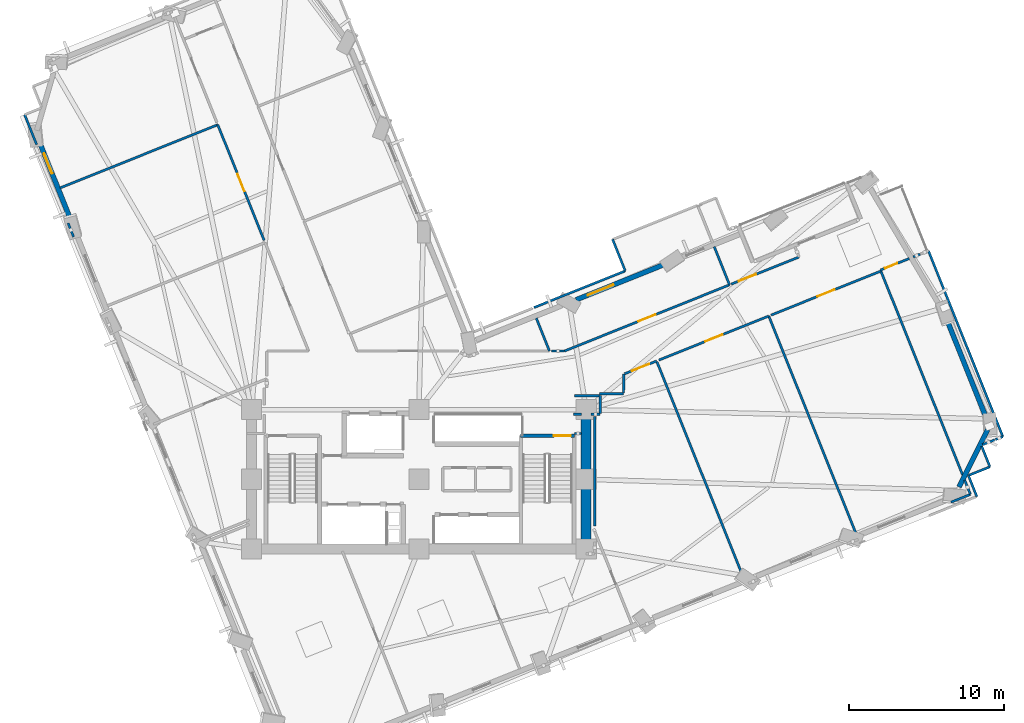
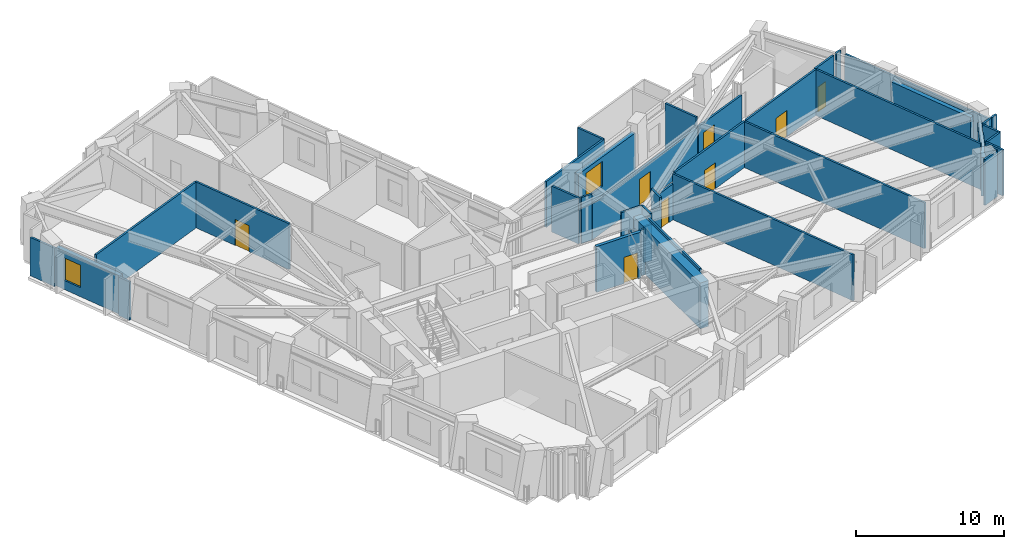
# One storey, part 10 of 16: 41 walls, 8 doors, 2 windows, 10 openings.
"""IFC4 building model written with IfcOpenShell, lengths in metres."""

from ifc_helpers import new_model, si_unit, direction, frame, frame_2d, origin, place, context, subcontext, project, spatial, rectangle, extrude, material, layer, layer_set, type_object, element, fill, save


model = new_model("IFC4")

# Units and contexts
model_context = context("Model", 3, precision=1e-05, world=origin(), true_north=direction((0.0, 1.0)))
body_context = subcontext(model_context, "Body", "Model", "MODEL_VIEW")
ifc_project = project(units=[si_unit("LENGTHUNIT", "METRE"), si_unit("AREAUNIT", "SQUARE_METRE"), si_unit("VOLUMEUNIT", "CUBIC_METRE"), si_unit("PLANEANGLEUNIT", "RADIAN"), si_unit("MASSUNIT", "GRAM", prefix="KILO")], contexts=[model_context])

# Site, building, storey
site_placement = place(None, origin())
site = spatial("IfcSite", under=ifc_project, at=site_placement, CompositionType="ELEMENT")
building_placement = place(site_placement, origin())
building = spatial("IfcBuilding", under=site, at=building_placement, Name="Gaonmaruhae Medical Tower", CompositionType="ELEMENT")
storey_placement = place(building_placement, frame((0.0, 0.0, 116.39990234375)))
storey = spatial("IfcBuildingStorey", under=building, at=storey_placement, Name="L27", CompositionType="ELEMENT", Elevation=116.39990234375)

# Walls
ifc_material_1 = material(Name="Concrete C60/75", Category="concrete")
ifc_layer_1 = layer(ifc_material_1, 0.64990234375)
ifc_layer_set_1 = layer_set([ifc_layer_1], Name="Concrete C60/75")
wall_type_1 = type_object("IfcWallType", Name="CW-650 Zone 2 Core Shear Wall", PredefinedType="SHEAR", material=ifc_layer_set_1)
wall_1_placement = place(storey_placement, frame((35.60009765625, 7.800048828125, 0.0), z_axis=(0.0, 0.0, 1.0), x_axis=(0.0, 1.0, 0.0)))
element("IfcWall", 1, at=wall_1_placement, inside=storey, type_object=wall_type_1, Name="L27 Core Shear Wall CSW-E1", PredefinedType="SHEAR", context=body_context, shape_type="SweptSolid", body=[
    extrude(rectangle(XDim=9.0, YDim=0.64990234375, at=frame_2d((4.5, 0.0))), origin(), (0.0, 0.0, 1.0), 3.780029296875),
])
ifc_material_2 = material(Name="Precast concrete C45/55", Category="concrete")
ifc_layer_2 = layer(ifc_material_2, 0.320068359375)
ifc_layer_set_2 = layer_set([ifc_layer_2], Name="Precast concrete C45/55")
wall_type_2 = type_object("IfcWallType", Name="EW-320 Lower Precast Masonry-Frame Facade Wall", PredefinedType="SOLIDWALL", material=ifc_layer_set_2)
wall_2_placement = place(storey_placement, frame((61.5244140625, 15.507568359375, 0.0), z_axis=(0.0, 0.0, 1.0), x_axis=(-0.449332666057, -0.89336451419, 0.0)))
element("IfcWall", 2, at=wall_2_placement, inside=storey, type_object=wall_type_2, Name="L27 Precast Masonry-Frame Wall S07-E01", PredefinedType="SOLIDWALL", context=body_context, shape_type="SweptSolid", body=[
    extrude(rectangle(XDim=4.145263671875, YDim=0.320068359375, at=frame_2d((2.07275390625, 0.0))), origin(), (0.0, 0.0, 1.0), 3.1650390625),
])
wall_3_placement = place(storey_placement, frame((58.846923828125, 22.69580078125, 0.0), z_axis=(0.0, 0.0, 1.0), x_axis=(0.372172100897, -0.928163739495, 0.0)))
element("IfcWall", 3, at=wall_3_placement, inside=storey, type_object=wall_type_2, Name="L27 Precast Masonry-Frame Wall E01-E02", PredefinedType="SOLIDWALL", context=body_context, shape_type="SweptSolid", body=[
    extrude(rectangle(XDim=6.840087890625, YDim=0.320068359375, at=frame_2d((3.419921875, 0.0))), origin(), (0.0, 0.0, 1.0), 3.1650390625),
])

# Wall, opening, window
wall_4_placement = place(storey_placement, frame((34.944580078125, 23.884765625, 0.0), z_axis=(0.0, 0.0, 1.0), x_axis=(0.928167331389, 0.372163142912, 0.0)))
wall_4 = element("IfcWall", 4, at=wall_4_placement, inside=storey, type_object=wall_type_2, Name="L27 Precast Masonry-Frame Wall EN02-EN03", PredefinedType="SOLIDWALL", context=body_context, shape_type="SweptSolid", body=[
    extrude(rectangle(XDim=6.2109375, YDim=0.320068359375, at=frame_2d((3.10546875, 0.0))), origin(), (0.0, 0.0, 1.0), 3.1650390625),
])
opening_1_placement = place(wall_4_placement, frame((0.81640625, 0.0, 0.75)))
opening_1 = element("IfcOpeningElement", 5, at=opening_1_placement, cuts=wall_4, Name="Opening WN-04", PredefinedType="OPENING", context=body_context, shape_type="SweptSolid", body=[
    extrude(rectangle(XDim=1.800048828125, YDim=2.050048828125, at=frame_2d((0.89990234375, 1.02490234375))), frame((0.0, 0.169921875, 0.0), z_axis=(0.0, -1.0, 0.0), x_axis=(1.0, 0.0, 0.0)), (0.0, 0.0, 1.0), 0.340087890625),
])
ifc_material_3 = material(Name="Anodised aluminium and Low-E double glazing", Category="aluminium")
window_type_1 = type_object("IfcWindowType", Name="WN-04 Clinic & Consult Punched Window 1800x2050", PartitioningType="SINGLE_PANEL", PredefinedType="WINDOW", material=ifc_material_3)
window_1_placement = place(opening_1_placement, origin())
window_1 = element("IfcWindow", 6, at=window_1_placement, inside=storey, type_object=window_type_1, Name="L27 Modular Facade Window EN02", OverallHeight=2.050048828125, OverallWidth=1.800048828125, PartitioningType="SINGLE_PANEL", PredefinedType="WINDOW", context=body_context, shape_type="SweptSolid", body=[
    extrude(rectangle(XDim=1.800048828125, YDim=2.050048828125, at=frame_2d((0.89990234375, 1.02490234375))), frame((0.0, 0.030029296875, 0.0), z_axis=(0.0, -1.0, 0.0), x_axis=(1.0, 0.0, 0.0)), (0.0, 0.0, 1.0), 0.06005859375),
])
fill(opening_1, window_1)

wall_5_placement = place(storey_placement, frame((2.37109375, 28.925537109375, 0.0), z_axis=(0.0, 0.0, 1.0), x_axis=(-0.37214668544, 0.928173930099, 0.0)))
wall_5 = element("IfcWall", 7, at=wall_5_placement, inside=storey, type_object=wall_type_2, Name="L27 Precast Masonry-Frame Wall W01-W02", PredefinedType="SOLIDWALL", context=body_context, shape_type="SweptSolid", body=[
    extrude(rectangle(XDim=5.45556640625, YDim=0.320068359375, at=frame_2d((2.727783203125, 0.0))), origin(), (0.0, 0.0, 1.0), 3.1650390625),
])
opening_2_placement = place(wall_5_placement, frame((3.353759765625, 0.0, 0.75)))
opening_2 = element("IfcOpeningElement", 8, at=opening_2_placement, cuts=wall_5, Name="Opening WN-03", PredefinedType="OPENING", context=body_context, shape_type="SweptSolid", body=[
    extrude(rectangle(XDim=1.39990234375, YDim=1.85009765625, at=frame_2d((0.699951171875, 0.925048828125))), frame((0.0, 0.169921875, 0.0), z_axis=(0.0, -1.0, 0.0), x_axis=(1.0, 0.0, 0.0)), (0.0, 0.0, 1.0), 0.340087890625),
])
window_type_2 = type_object("IfcWindowType", Name="WN-03 Isolation Ward Punched Window 1400x1850", PartitioningType="SINGLE_PANEL", PredefinedType="WINDOW", material=ifc_material_3)
window_2_placement = place(opening_2_placement, origin())
window_2 = element("IfcWindow", 9, at=window_2_placement, inside=storey, type_object=window_type_2, Name="L27 Modular Facade Window W01", OverallHeight=1.85009765625, OverallWidth=1.39990234375, PartitioningType="SINGLE_PANEL", PredefinedType="WINDOW", context=body_context, shape_type="SweptSolid", body=[
    extrude(rectangle(XDim=1.39990234375, YDim=1.85009765625, at=frame_2d((0.699951171875, 0.925048828125))), frame((0.0, 0.030029296875, 0.0), z_axis=(0.0, -1.0, 0.0), x_axis=(1.0, 0.0, 0.0)), (0.0, 0.0, 1.0), 0.06005859375),
])
fill(opening_2, window_2)

# Walls
ifc_material_4 = material(Name="Gypsum board partition", Category="gypsum")
ifc_layer_3 = layer(ifc_material_4, 0.14990234375)
ifc_layer_set_3 = layer_set([ifc_layer_3], Name="Gypsum board partition")
wall_type_3 = type_object("IfcWallType", Name="PW-150 Rated Clinical Corridor Partition", PredefinedType="PARTITIONING", material=ifc_layer_set_3)
wall_6_placement = place(storey_placement, frame((34.777099609375, 16.5, 0.0), z_axis=(0.0, 0.0, 1.0), x_axis=(1.0, 0.0, 0.0)))
element("IfcWall", 10, at=wall_6_placement, inside=storey, type_object=wall_type_3, Name="L27 Interior Partition L27-SUP04-21", PredefinedType="PARTITIONING", context=body_context, shape_type="SweptSolid", body=[
    extrude(rectangle(XDim=0.52294921875, YDim=0.14990234375, at=frame_2d((0.261474609375, 0.0))), origin(), (0.0, 0.0, 1.0), 2.965087890625),
])
wall_7_placement = place(storey_placement, frame((35.89990234375, 16.5, 0.0), z_axis=(0.0, 0.0, 1.0), x_axis=(1.0, 0.0, 0.0)))
element("IfcWall", 11, at=wall_7_placement, inside=storey, type_object=wall_type_3, Name="L27 Interior Partition L27-SUP04-22", PredefinedType="PARTITIONING", context=body_context, shape_type="SweptSolid", body=[
    extrude(rectangle(XDim=0.60009765625, YDim=0.14990234375, at=frame_2d((0.300048828125, 0.0))), origin(), (0.0, 0.0, 1.0), 2.965087890625),
])
wall_8_placement = place(storey_placement, frame((36.5, 16.550048828125, 0.0), z_axis=(0.0, 0.0, 1.0), x_axis=(0.0, 1.0, 0.0)))
element("IfcWall", 12, at=wall_8_placement, inside=storey, type_object=wall_type_3, Name="L27 Interior Partition L27-SUP04-23", PredefinedType="PARTITIONING", context=body_context, shape_type="SweptSolid", body=[
    extrude(rectangle(XDim=1.14990234375, YDim=0.14990234375, at=frame_2d((0.574951171875, 0.0))), origin(), (0.0, 0.0, 1.0), 3.780029296875),
])
wall_9_placement = place(storey_placement, frame((36.449951171875, 17.699951171875, 0.0), z_axis=(0.0, 0.0, 1.0), x_axis=(-1.0, 0.0, 0.0)))
element("IfcWall", 13, at=wall_9_placement, inside=storey, type_object=wall_type_3, Name="L27 Interior Partition L27-SUP04-24", PredefinedType="PARTITIONING", context=body_context, shape_type="SweptSolid", body=[
    extrude(rectangle(XDim=1.619873046875, YDim=0.14990234375, at=frame_2d((0.81005859375, 0.0))), origin(), (0.0, 0.0, 1.0), 3.780029296875),
])
wall_10_placement = place(storey_placement, frame((36.449951171875, 17.81396484375, 0.0), z_axis=(0.0, 0.0, 1.0), x_axis=(0.999986681849, 0.005161019784, 0.0)))
element("IfcWall", 14, at=wall_10_placement, inside=storey, type_object=wall_type_3, Name="L27 Interior Partition L27-SUP04-25", PredefinedType="PARTITIONING", context=body_context, shape_type="SweptSolid", body=[
    extrude(rectangle(XDim=1.56103515625, YDim=0.14990234375, at=frame_2d((0.780517578125, 0.0))), origin(), (0.0, 0.0, 1.0), 2.965087890625),
])
wall_11_placement = place(storey_placement, frame((38.011962890625, 17.8720703125, 0.0), z_axis=(0.0, 0.0, 1.0), x_axis=(0.014857797519, 0.999889616834, 0.0)))
element("IfcWall", 15, at=wall_11_placement, inside=storey, type_object=wall_type_3, Name="L27 Interior Partition L27-SUP04-26", PredefinedType="PARTITIONING", context=body_context, shape_type="SweptSolid", body=[
    extrude(rectangle(XDim=1.216064453125, YDim=0.14990234375, at=frame_2d((0.60791015625, 0.0))), origin(), (0.0, 0.0, 1.0), 3.780029296875),
])

# Wall, opening, door
wall_12_placement = place(storey_placement, frame((38.075927734375, 19.10693359375, 0.0), z_axis=(0.0, 0.0, 1.0), x_axis=(0.928098589705, 0.372334537463, 0.0)))
wall_12 = element("IfcWall", 16, at=wall_12_placement, inside=storey, type_object=wall_type_3, Name="L27 Interior Partition L27-SUP04-27", PredefinedType="PARTITIONING", context=body_context, shape_type="SweptSolid", body=[
    extrude(rectangle(XDim=2.2294921875, YDim=0.14990234375, at=frame_2d((1.11474609375, 0.0))), origin(), (0.0, 0.0, 1.0), 2.945068359375),
])
opening_3_placement = place(wall_12_placement, frame((0.5146484375, 0.0, 0.0)))
opening_3 = element("IfcOpeningElement", 17, at=opening_3_placement, cuts=wall_12, Name="Opening CD-02", PredefinedType="OPENING", context=body_context, shape_type="SweptSolid", body=[
    extrude(rectangle(XDim=1.199951171875, YDim=2.14990234375, at=frame_2d((0.60009765625, 1.074951171875))), frame((0.0, 0.0849609375, 0.0), z_axis=(0.0, -1.0, 0.0), x_axis=(1.0, 0.0, 0.0)), (0.0, 0.0, 1.0), 0.169921875),
])
ifc_material_5 = material(Name="Antimicrobial laminate timber fire door", Category="wood")
door_type_1 = type_object("IfcDoorType", Name="CD-02 Clinical Treatment & Procedure Door 1200x2150", OperationType="NOTDEFINED", PredefinedType="DOOR", material=ifc_material_5)
door_1_placement = place(opening_3_placement, origin())
door_1 = element("IfcDoor", 18, at=door_1_placement, inside=storey, type_object=door_type_1, Name="L27 Clinical Biomedical Charting Office Door", OperationType="SINGLE_SWING_LEFT", OverallHeight=2.14990234375, OverallWidth=1.199951171875, PredefinedType="DOOR", context=body_context, shape_type="SweptSolid", body=[
    extrude(rectangle(XDim=1.199951171875, YDim=2.14990234375, at=frame_2d((0.60009765625, 1.074951171875))), frame((0.0, 0.02490234375, 0.0), z_axis=(0.0, -1.0, 0.0), x_axis=(1.0, 0.0, 0.0)), (0.0, 0.0, 1.0), 0.050048828125),
])
fill(opening_3, door_1)

# Walls
wall_13_placement = place(storey_placement, frame((40.1640625, 19.89111328125, 0.0), z_axis=(0.0, 0.0, 1.0), x_axis=(0.372132851531, -0.928179476616, 0.0)))
element("IfcWall", 19, at=wall_13_placement, inside=storey, type_object=wall_type_3, Name="L27 Interior Partition L27-SUP04-28", PredefinedType="PARTITIONING", context=body_context, shape_type="SweptSolid", body=[
    extrude(rectangle(XDim=15.48095703125, YDim=0.14990234375, at=frame_2d((7.740478515625, 0.0))), origin(), (0.0, 0.0, 1.0), 3.780029296875),
])
wall_14_placement = place(storey_placement, frame((36.14990234375, 9.279052734375, 0.0), z_axis=(0.0, 0.0, 1.0), x_axis=(0.0, 1.0, 0.0)))
element("IfcWall", 20, at=wall_14_placement, inside=storey, type_object=wall_type_3, Name="L27 Interior Partition L27-SUP04-30", PredefinedType="PARTITIONING", context=body_context, shape_type="SweptSolid", body=[
    extrude(rectangle(XDim=7.06103515625, YDim=0.14990234375, at=frame_2d((3.530517578125, 0.0))), origin(), (0.0, 0.0, 1.0), 3.780029296875),
])
wall_15_placement = place(storey_placement, frame((35.300048828125, 15.260009765625, 0.0), z_axis=(0.0, 0.0, 1.0), x_axis=(-1.0, 0.0, 0.0)))
element("IfcWall", 21, at=wall_15_placement, inside=storey, type_object=wall_type_3, Name="L27 Interior Partition L27-SUP04-31", PredefinedType="PARTITIONING", context=body_context, shape_type="SweptSolid", body=[
    extrude(rectangle(XDim=0.449951171875, YDim=0.14990234375, at=frame_2d((0.22509765625, 0.0))), origin(), (0.0, 0.0, 1.0), 3.780029296875),
])

# Wall, opening, door
wall_16_placement = place(storey_placement, frame((40.2939453125, 19.99609375, 0.0), z_axis=(0.0, 0.0, 1.0), x_axis=(0.928134709593, 0.372244490689, 0.0)))
wall_16 = element("IfcWall", 22, at=wall_16_placement, inside=storey, type_object=wall_type_3, Name="L27 Interior Partition L27-SUP05-32", PredefinedType="PARTITIONING", context=body_context, shape_type="SweptSolid", body=[
    extrude(rectangle(XDim=7.64013671875, YDim=0.14990234375, at=frame_2d((3.820068359375, 0.0))), origin(), (0.0, 0.0, 1.0), 3.780029296875),
])
opening_4_placement = place(wall_16_placement, frame((3.219970703125, 0.0, 0.0)))
opening_4 = element("IfcOpeningElement", 23, at=opening_4_placement, cuts=wall_16, Name="Opening CD-02", PredefinedType="OPENING", context=body_context, shape_type="SweptSolid", body=[
    extrude(rectangle(XDim=1.199951171875, YDim=2.14990234375, at=frame_2d((0.60009765625, 1.074951171875))), frame((0.0, 0.0849609375, 0.0), z_axis=(0.0, -1.0, 0.0), x_axis=(1.0, 0.0, 0.0)), (0.0, 0.0, 1.0), 0.169921875),
])
door_2_placement = place(opening_4_placement, origin())
door_2 = element("IfcDoor", 24, at=door_2_placement, inside=storey, type_object=door_type_1, Name="L27 Clinical Biomedical Charting Office Door", OperationType="SINGLE_SWING_RIGHT", OverallHeight=2.14990234375, OverallWidth=1.199951171875, PredefinedType="DOOR", context=body_context, shape_type="SweptSolid", body=[
    extrude(rectangle(XDim=1.199951171875, YDim=2.14990234375, at=frame_2d((0.60009765625, 1.074951171875))), frame((0.0, 0.02490234375, 0.0), z_axis=(0.0, -1.0, 0.0), x_axis=(1.0, 0.0, 0.0)), (0.0, 0.0, 1.0), 0.050048828125),
])
fill(opening_4, door_2)

# Wall
wall_17_placement = place(storey_placement, frame((47.385009765625, 22.840087890625, 0.0), z_axis=(0.0, 0.0, 1.0), x_axis=(0.372168409569, -0.928165219624, 0.0)))
element("IfcWall", 25, at=wall_17_placement, inside=storey, type_object=wall_type_3, Name="L27 Interior Partition L27-SUP05-33", PredefinedType="PARTITIONING", context=body_context, shape_type="SweptSolid", body=[
    extrude(rectangle(XDim=15.53076171875, YDim=0.14990234375, at=frame_2d((7.765380859375, 0.0))), origin(), (0.0, 0.0, 1.0), 3.780029296875),
])

# Wall, opening, door
wall_18_placement = place(storey_placement, frame((47.532958984375, 22.89892578125, 0.0), z_axis=(0.0, 0.0, 1.0), x_axis=(0.928152417976, 0.372200334504, 0.0)))
wall_18 = element("IfcWall", 26, at=wall_18_placement, inside=storey, type_object=wall_type_3, Name="L27 Interior Partition L27-SUP06-36", PredefinedType="PARTITIONING", context=body_context, shape_type="SweptSolid", body=[
    extrude(rectangle(XDim=7.64111328125, YDim=0.14990234375, at=frame_2d((3.820556640625, 0.0))), origin(), (0.0, 0.0, 1.0), 3.780029296875),
])
opening_5_placement = place(wall_18_placement, frame((3.220458984375, 0.0, 0.0)))
opening_5 = element("IfcOpeningElement", 27, at=opening_5_placement, cuts=wall_18, Name="Opening CD-02", PredefinedType="OPENING", context=body_context, shape_type="SweptSolid", body=[
    extrude(rectangle(XDim=1.199951171875, YDim=2.14990234375, at=frame_2d((0.60009765625, 1.074951171875))), frame((0.0, 0.0849609375, 0.0), z_axis=(0.0, -1.0, 0.0), x_axis=(1.0, 0.0, 0.0)), (0.0, 0.0, 1.0), 0.169921875),
])
door_3_placement = place(opening_5_placement, origin())
door_3 = element("IfcDoor", 28, at=door_3_placement, inside=storey, type_object=door_type_1, Name="L27 Clinical Biomedical Charting Office Door", OperationType="SINGLE_SWING_LEFT", OverallHeight=2.14990234375, OverallWidth=1.199951171875, PredefinedType="DOOR", context=body_context, shape_type="SweptSolid", body=[
    extrude(rectangle(XDim=1.199951171875, YDim=2.14990234375, at=frame_2d((0.60009765625, 1.074951171875))), frame((0.0, 0.02490234375, 0.0), z_axis=(0.0, -1.0, 0.0), x_axis=(1.0, 0.0, 0.0)), (0.0, 0.0, 1.0), 0.050048828125),
])
fill(opening_5, door_3)

# Walls
wall_19_placement = place(storey_placement, frame((54.625, 25.742919921875, 0.0), z_axis=(0.0, 0.0, 1.0), x_axis=(0.372141564424, -0.928175983329, 0.0)))
element("IfcWall", 29, at=wall_19_placement, inside=storey, type_object=wall_type_3, Name="L27 Interior Partition L27-SUP06-37", PredefinedType="PARTITIONING", context=body_context, shape_type="SweptSolid", body=[
    extrude(rectangle(XDim=14.180419921875, YDim=0.14990234375, at=frame_2d((7.09033203125, 0.0))), origin(), (0.0, 0.0, 1.0), 3.780029296875),
])
wall_20_placement = place(storey_placement, frame((60.035888671875, 12.2470703125, 0.0), z_axis=(0.0, 0.0, 1.0), x_axis=(0.371815744607, -0.928306550694, 0.0)))
element("IfcWall", 30, at=wall_20_placement, inside=storey, type_object=wall_type_3, Name="L27 Interior Partition L27-SUP06-38", PredefinedType="PARTITIONING", context=body_context, shape_type="SweptSolid", body=[
    extrude(rectangle(XDim=0.990234375, YDim=0.14990234375, at=frame_2d((0.4951171875, 0.0))), origin(), (0.0, 0.0, 1.0), 3.780029296875),
])
wall_21_placement = place(storey_placement, frame((60.404052734375, 11.327880859375, 0.0), z_axis=(0.0, 0.0, 1.0), x_axis=(-0.928252379933, -0.371950963366, 0.0)))
element("IfcWall", 31, at=wall_21_placement, inside=storey, type_object=wall_type_3, Name="L27 Interior Partition L27-SUP06-39", PredefinedType="PARTITIONING", context=body_context, shape_type="SweptSolid", body=[
    extrude(rectangle(XDim=1.35205078125, YDim=0.14990234375, at=frame_2d((0.676025390625, 0.0))), origin(), (0.0, 0.0, 1.0), 3.780029296875),
])
wall_22_placement = place(storey_placement, frame((1.64111328125, 31.10888671875, 0.0), z_axis=(0.0, 0.0, 1.0), x_axis=(0.928153869295, 0.372196715344, 0.0)))
element("IfcWall", 32, at=wall_22_placement, inside=storey, type_object=wall_type_3, Name="L27 Interior Partition L27-WOF09-53", PredefinedType="PARTITIONING", context=body_context, shape_type="SweptSolid", body=[
    extrude(rectangle(XDim=10.96484375, YDim=0.14990234375, at=frame_2d((5.482421875, 0.0))), origin(), (0.0, 0.0, 1.0), 3.780029296875),
])

# Wall, opening, door
wall_23_placement = place(storey_placement, frame((11.818115234375, 35.18994140625, 0.0), z_axis=(0.0, 0.0, 1.0), x_axis=(0.372222898555, -0.928143369201, 0.0)))
wall_23 = element("IfcWall", 33, at=wall_23_placement, inside=storey, type_object=wall_type_3, Name="L27 Interior Partition L27-WOF09-54", PredefinedType="PARTITIONING", context=body_context, shape_type="SweptSolid", body=[
    extrude(rectangle(XDim=8.040771484375, YDim=0.14990234375, at=frame_2d((4.0205078125, 0.0))), origin(), (0.0, 0.0, 1.0), 3.780029296875),
])
opening_6_placement = place(wall_23_placement, frame((3.42041015625, 0.0, 0.0)))
opening_6 = element("IfcOpeningElement", 34, at=opening_6_placement, cuts=wall_23, Name="Opening CD-02", PredefinedType="OPENING", context=body_context, shape_type="SweptSolid", body=[
    extrude(rectangle(XDim=1.199951171875, YDim=2.14990234375, at=frame_2d((0.60009765625, 1.074951171875))), frame((0.0, 0.0849609375, 0.0), z_axis=(0.0, -1.0, 0.0), x_axis=(1.0, 0.0, 0.0)), (0.0, 0.0, 1.0), 0.169921875),
])
door_4_placement = place(opening_6_placement, origin())
door_4 = element("IfcDoor", 35, at=door_4_placement, inside=storey, type_object=door_type_1, Name="L27 Ward Physician Reporting Office Door", OperationType="SINGLE_SWING_LEFT", OverallHeight=2.14990234375, OverallWidth=1.199951171875, PredefinedType="DOOR", context=body_context, shape_type="SweptSolid", body=[
    extrude(rectangle(XDim=1.199951171875, YDim=2.14990234375, at=frame_2d((0.60009765625, 1.074951171875))), frame((0.0, 0.02490234375, 0.0), z_axis=(0.0, -1.0, 0.0), x_axis=(1.0, 0.0, 0.0)), (0.0, 0.0, 1.0), 0.050048828125),
])
fill(opening_6, door_4)

# Walls
wall_24_placement = place(storey_placement, frame((2.514892578125, 27.947998046875, 0.0), z_axis=(0.0, 0.0, 1.0), x_axis=(-0.371478291638, 0.928441639976, 0.0)))
element("IfcWall", 36, at=wall_24_placement, inside=storey, type_object=wall_type_3, Name="L27 Interior Partition L27-WOF09-55", PredefinedType="PARTITIONING", context=body_context, shape_type="SweptSolid", body=[
    extrude(rectangle(XDim=0.9609375, YDim=0.14990234375, at=frame_2d((0.48046875, 0.0))), origin(), (0.0, 0.0, 1.0), 3.1650390625),
])
wall_25_placement = place(storey_placement, frame((0.126953125, 33.904052734375, 0.0), z_axis=(0.0, 0.0, 1.0), x_axis=(-0.372336019867, 0.928097994993, 0.0)))
element("IfcWall", 37, at=wall_25_placement, inside=storey, type_object=wall_type_3, Name="L27 Interior Partition L27-WOF10-61", PredefinedType="PARTITIONING", context=body_context, shape_type="SweptSolid", body=[
    extrude(rectangle(XDim=2.09228515625, YDim=0.14990234375, at=frame_2d((1.046142578125, 0.0))), origin(), (0.0, 0.0, 1.0), 3.1650390625),
])
wall_26_placement = place(storey_placement, frame((32.3779296875, 22.7099609375, 0.0), z_axis=(0.0, 0.0, 1.0), x_axis=(0.37216097697, -0.928168199854, 0.0)))
element("IfcWall", 38, at=wall_26_placement, inside=storey, type_object=wall_type_3, Name="L27 Interior Partition L27-IE01-71", PredefinedType="PARTITIONING", context=body_context, shape_type="SweptSolid", body=[
    extrude(rectangle(XDim=2.294677734375, YDim=0.14990234375, at=frame_2d((1.1474609375, 0.0))), origin(), (0.0, 0.0, 1.0), 3.780029296875),
])
wall_27_placement = place(storey_placement, frame((32.23388671875, 23.39111328125, 0.0), z_axis=(0.0, 0.0, 1.0), x_axis=(0.928205670009, 0.37206751291, 0.0)))
element("IfcWall", 39, at=wall_27_placement, inside=storey, type_object=wall_type_3, Name="L27 Interior Partition L27-IE02-73", PredefinedType="PARTITIONING", context=body_context, shape_type="SweptSolid", body=[
    extrude(rectangle(XDim=6.342529296875, YDim=0.14990234375, at=frame_2d((3.17138671875, 0.0))), origin(), (0.0, 0.0, 1.0), 3.780029296875),
])
wall_28_placement = place(storey_placement, frame((38.12109375, 25.7509765625, 0.0), z_axis=(0.0, 0.0, 1.0), x_axis=(-0.372289706469, 0.928116573743, 0.0)))
element("IfcWall", 40, at=wall_28_placement, inside=storey, type_object=wall_type_3, Name="L27 Interior Partition L27-IE02-74", PredefinedType="PARTITIONING", context=body_context, shape_type="SweptSolid", body=[
    extrude(rectangle(XDim=2.2001953125, YDim=0.14990234375, at=frame_2d((1.10009765625, 0.0))), origin(), (0.0, 0.0, 1.0), 3.780029296875),
])
wall_29_placement = place(storey_placement, frame((43.864990234375, 27.31591796875, 0.0), z_axis=(0.0, 0.0, 1.0), x_axis=(0.372199229905, -0.928152860933, 0.0)))
element("IfcWall", 41, at=wall_29_placement, inside=storey, type_object=wall_type_3, Name="L27 Interior Partition L27-IE02-77", PredefinedType="PARTITIONING", context=body_context, shape_type="SweptSolid", body=[
    extrude(rectangle(XDim=2.654541015625, YDim=0.14990234375, at=frame_2d((1.3271484375, 0.0))), origin(), (0.0, 0.0, 1.0), 3.780029296875),
])

# Wall, opening, door
wall_30_placement = place(storey_placement, frame((44.85302734375, 24.85205078125, 0.0), z_axis=(0.0, 0.0, 1.0), x_axis=(-0.928153610166, -0.372197361537, 0.0)))
wall_30 = element("IfcWall", 42, at=wall_30_placement, inside=storey, type_object=wall_type_3, Name="L27 Interior Partition L27-IE02-78", PredefinedType="PARTITIONING", context=body_context, shape_type="SweptSolid", body=[
    extrude(rectangle(XDim=11.477783203125, YDim=0.14990234375, at=frame_2d((5.73876953125, 0.0))), origin(), (0.0, 0.0, 1.0), 2.945068359375),
])
opening_7_placement = place(wall_30_placement, frame((5.138916015625, 0.0, 0.0)))
opening_7 = element("IfcOpeningElement", 43, at=opening_7_placement, cuts=wall_30, Name="Opening CD-02", PredefinedType="OPENING", context=body_context, shape_type="SweptSolid", body=[
    extrude(rectangle(XDim=1.199951171875, YDim=2.14990234375, at=frame_2d((0.60009765625, 1.074951171875))), frame((0.0, 0.0849609375, 0.0), z_axis=(0.0, -1.0, 0.0), x_axis=(1.0, 0.0, 0.0)), (0.0, 0.0, 1.0), 0.169921875),
])
door_5_placement = place(opening_7_placement, origin())
door_5 = element("IfcDoor", 44, at=door_5_placement, inside=storey, type_object=door_type_1, Name="L27 Acute Treatment Examination Room Door", OperationType="SINGLE_SWING_LEFT", OverallHeight=2.14990234375, OverallWidth=1.199951171875, PredefinedType="DOOR", context=body_context, shape_type="SweptSolid", body=[
    extrude(rectangle(XDim=1.199951171875, YDim=2.14990234375, at=frame_2d((0.60009765625, 1.074951171875))), frame((0.0, 0.02490234375, 0.0), z_axis=(0.0, -1.0, 0.0), x_axis=(1.0, 0.0, 0.0)), (0.0, 0.0, 1.0), 0.050048828125),
])
fill(opening_7, door_5)

# Wall
wall_31_placement = place(storey_placement, frame((34.199951171875, 20.580078125, 0.0), z_axis=(0.0, 0.0, 1.0), x_axis=(-1.0, 0.0, 0.0)))
element("IfcWall", 45, at=wall_31_placement, inside=storey, type_object=wall_type_3, Name="L27 Interior Partition L27-IE02-79", PredefinedType="PARTITIONING", context=body_context, shape_type="SweptSolid", body=[
    extrude(rectangle(XDim=0.8388671875, YDim=0.14990234375, at=frame_2d((0.41943359375, 0.0))), origin(), (0.0, 0.0, 1.0), 3.780029296875),
])

# Wall, opening, door
wall_32_placement = place(storey_placement, frame((49.342041015625, 26.652099609375, 0.0), z_axis=(0.0, 0.0, 1.0), x_axis=(-0.928187259022, -0.372113439946, 0.0)))
wall_32 = element("IfcWall", 46, at=wall_32_placement, inside=storey, type_object=wall_type_3, Name="L27 Interior Partition L27-IE03-81", PredefinedType="PARTITIONING", context=body_context, shape_type="SweptSolid", body=[
    extrude(rectangle(XDim=4.716552734375, YDim=0.14990234375, at=frame_2d((2.3583984375, 0.0))), origin(), (0.0, 0.0, 1.0), 2.945068359375),
])
opening_8_placement = place(wall_32_placement, frame((3.0, 0.0, 0.0)))
opening_8 = element("IfcOpeningElement", 47, at=opening_8_placement, cuts=wall_32, Name="Opening CD-02", PredefinedType="OPENING", context=body_context, shape_type="SweptSolid", body=[
    extrude(rectangle(XDim=1.199951171875, YDim=2.14990234375, at=frame_2d((0.60009765625, 1.074951171875))), frame((0.0, 0.0849609375, 0.0), z_axis=(0.0, -1.0, 0.0), x_axis=(1.0, 0.0, 0.0)), (0.0, 0.0, 1.0), 0.169921875),
])
door_6_placement = place(opening_8_placement, origin())
door_6 = element("IfcDoor", 48, at=door_6_placement, inside=storey, type_object=door_type_1, Name="L27 Clean Medication Preparation Room Door", OperationType="SINGLE_SWING_LEFT", OverallHeight=2.14990234375, OverallWidth=1.199951171875, PredefinedType="DOOR", context=body_context, shape_type="SweptSolid", body=[
    extrude(rectangle(XDim=1.199951171875, YDim=2.14990234375, at=frame_2d((0.60009765625, 1.074951171875))), frame((0.0, 0.02490234375, 0.0), z_axis=(0.0, -1.0, 0.0), x_axis=(1.0, 0.0, 0.0)), (0.0, 0.0, 1.0), 0.050048828125),
])
fill(opening_8, door_6)

# Walls
wall_33_placement = place(storey_placement, frame((61.964111328125, 14.841064453125, 0.0), z_axis=(0.0, 0.0, 1.0), x_axis=(-0.928236360629, -0.371990939145, 0.0)))
element("IfcWall", 49, at=wall_33_placement, inside=storey, type_object=wall_type_3, Name="L27 Interior Partition L27-RM02-102", PredefinedType="PARTITIONING", context=body_context, shape_type="SweptSolid", body=[
    extrude(rectangle(XDim=0.84130859375, YDim=0.14990234375, at=frame_2d((0.420654296875, 0.0))), origin(), (0.0, 0.0, 1.0), 3.780029296875),
])
wall_34_placement = place(storey_placement, frame((61.135986328125, 14.43408203125, 0.0), z_axis=(0.0, 0.0, 1.0), x_axis=(0.371831953521, -0.928300058354, 0.0)))
element("IfcWall", 50, at=wall_34_placement, inside=storey, type_object=wall_type_3, Name="L27 Interior Partition L27-RM02-103", PredefinedType="PARTITIONING", context=body_context, shape_type="SweptSolid", body=[
    extrude(rectangle(XDim=1.4306640625, YDim=0.14990234375, at=frame_2d((0.71533203125, 0.0))), origin(), (0.0, 0.0, 1.0), 3.780029296875),
])
wall_35_placement = place(storey_placement, frame((61.66796875, 13.10595703125, 0.0), z_axis=(0.0, 0.0, 1.0), x_axis=(-0.928240735881, -0.371980021306, 0.0)))
element("IfcWall", 51, at=wall_35_placement, inside=storey, type_object=wall_type_3, Name="L27 Interior Partition L27-RM02-104", PredefinedType="PARTITIONING", context=body_context, shape_type="SweptSolid", body=[
    extrude(rectangle(XDim=1.499755859375, YDim=0.14990234375, at=frame_2d((0.75, 0.0))), origin(), (0.0, 0.0, 1.0), 3.780029296875),
])
wall_36_placement = place(storey_placement, frame((60.27587890625, 12.548095703125, 0.0), z_axis=(0.0, 0.0, 1.0), x_axis=(0.372278397591, -0.928121109924, 0.0)))
element("IfcWall", 52, at=wall_36_placement, inside=storey, type_object=wall_type_3, Name="L27 Interior Partition L27-RM02-105", PredefinedType="PARTITIONING", context=body_context, shape_type="SweptSolid", body=[
    extrude(rectangle(XDim=1.4697265625, YDim=0.14990234375, at=frame_2d((0.73486328125, 0.0))), origin(), (0.0, 0.0, 1.0), 3.780029296875),
])

# Wall, opening, door
wall_37_placement = place(storey_placement, frame((54.59912109375, 25.80810546875, 0.0), z_axis=(0.0, 0.0, 1.0), x_axis=(0.928249506062, 0.371958135408, 0.0)))
wall_37 = element("IfcWall", 53, at=wall_37_placement, inside=storey, type_object=wall_type_3, Name="L27 Interior Partition L27-RM02-107", PredefinedType="PARTITIONING", context=body_context, shape_type="SweptSolid", body=[
    extrude(rectangle(XDim=2.002685546875, YDim=0.14990234375, at=frame_2d((1.00146484375, 0.0))), origin(), (0.0, 0.0, 1.0), 3.780029296875),
])
opening_9_placement = place(wall_37_placement, frame((0.30908203125, 0.0, 0.0)))
opening_9 = element("IfcOpeningElement", 54, at=opening_9_placement, cuts=wall_37, Name="Opening AD-01", PredefinedType="OPENING", context=body_context, shape_type="SweptSolid", body=[
    extrude(rectangle(XDim=0.860107421875, YDim=2.06005859375, at=frame_2d((0.43017578125, 1.030029296875))), frame((0.0, 0.0849609375, 0.0), z_axis=(0.0, -1.0, 0.0), x_axis=(1.0, 0.0, 0.0)), (0.0, 0.0, 1.0), 0.169921875),
])
ifc_material_6 = material(Name="Powder-coated steel access door", Category="steel")
door_type_2 = type_object("IfcDoorType", Name="AD-01 Riser & Closet Access Fire Door 860x2060", OperationType="NOTDEFINED", PredefinedType="DOOR", material=ifc_material_6)
door_7_placement = place(opening_9_placement, origin())
door_7 = element("IfcDoor", 55, at=door_7_placement, inside=storey, type_object=door_type_2, Name="L27 Care Team Clinical Charting Office Sliding Door", OperationType="SLIDING_TO_LEFT", OverallHeight=2.06005859375, OverallWidth=0.860107421875, PredefinedType="DOOR", context=body_context, shape_type="SweptSolid", body=[
    extrude(rectangle(XDim=0.860107421875, YDim=2.06005859375, at=frame_2d((0.43017578125, 1.030029296875))), frame((0.0, 0.02490234375, 0.0), z_axis=(0.0, -1.0, 0.0), x_axis=(1.0, 0.0, 0.0)), (0.0, 0.0, 1.0), 0.050048828125),
])
fill(opening_9, door_7)

# Walls
wall_38_placement = place(storey_placement, frame((56.7119140625, 26.655029296875, 0.0), z_axis=(0.0, 0.0, 1.0), x_axis=(0.928230136377, 0.372006470269, 0.0)))
element("IfcWall", 56, at=wall_38_placement, inside=storey, type_object=wall_type_3, Name="L27 Interior Partition L27-RM02-108", PredefinedType="PARTITIONING", context=body_context, shape_type="SweptSolid", body=[
    extrude(rectangle(XDim=0.478515625, YDim=0.14990234375, at=frame_2d((0.2392578125, 0.0))), origin(), (0.0, 0.0, 1.0), 3.780029296875),
])
wall_39_placement = place(storey_placement, frame((57.694091796875, 27.049072265625, 0.0), z_axis=(0.0, 0.0, 1.0), x_axis=(0.372123604299, -0.928183184034, 0.0)))
element("IfcWall", 57, at=wall_39_placement, inside=storey, type_object=wall_type_3, Name="L27 Interior Partition L27-RM03-110", PredefinedType="PARTITIONING", context=body_context, shape_type="SweptSolid", body=[
    extrude(rectangle(XDim=12.920166015625, YDim=0.14990234375, at=frame_2d((6.4599609375, 0.0))), origin(), (0.0, 0.0, 1.0), 3.1650390625),
])
wall_40_placement = place(storey_placement, frame((62.501953125, 15.056884765625, 0.0), z_axis=(0.0, 0.0, 1.0), x_axis=(-0.927761889894, -0.37317271559, 0.0)))
element("IfcWall", 58, at=wall_40_placement, inside=storey, type_object=wall_type_3, Name="L27 Interior Partition L27-RM03-111", PredefinedType="PARTITIONING", context=body_context, shape_type="SweptSolid", body=[
    extrude(rectangle(XDim=0.51953125, YDim=0.14990234375, at=frame_2d((0.259765625, 0.0))), origin(), (0.0, 0.0, 1.0), 3.780029296875),
])

# Wall, opening, door
ifc_material_7 = material(Name="Concrete C50/60", Category="concrete")
ifc_layer_4 = layer(ifc_material_7, 0.239990234375)
ifc_layer_set_4 = layer_set([ifc_layer_4], Name="Concrete C50/60")
wall_type_4 = type_object("IfcWallType", Name="SW-240 Dogleg Stair Tight Shaft Wall", PredefinedType="SOLIDWALL", material=ifc_layer_set_4)
wall_41_placement = place(storey_placement, frame((31.3701171875, 15.1201171875, 0.0), z_axis=(0.0, 0.0, 1.0), x_axis=(1.0, 0.0, 0.0)))
wall_41 = element("IfcWall", 59, at=wall_41_placement, inside=storey, type_object=wall_type_4, Name="L27 ST-02 Stair Shaft Wall SHW-ST-02-N", PredefinedType="SOLIDWALL", context=body_context, shape_type="SweptSolid", body=[
    extrude(rectangle(XDim=3.4599609375, YDim=0.239990234375, at=frame_2d((1.72998046875, 0.0))), origin(), (0.0, 0.0, 1.0), 3.780029296875),
])
opening_10_placement = place(wall_41_placement, frame((2.139892578125, 0.0, 0.0)))
opening_10 = element("IfcOpeningElement", 60, at=opening_10_placement, cuts=wall_41, Name="Opening FD-01", PredefinedType="OPENING", context=body_context, shape_type="SweptSolid", body=[
    extrude(rectangle(XDim=1.10009765625, YDim=2.14990234375, at=frame_2d((0.550048828125, 1.074951171875))), frame((0.0, 0.1298828125, 0.0), z_axis=(0.0, -1.0, 0.0), x_axis=(1.0, 0.0, 0.0)), (0.0, 0.0, 1.0), 0.260009765625),
])
ifc_material_8 = material(Name="Powder-coated steel fire door", Category="steel")
door_type_3 = type_object("IfcDoorType", Name="FD-01 Escape Stair Protected Fire Door 1100x2150", OperationType="NOTDEFINED", PredefinedType="DOOR", material=ifc_material_8)
door_8_placement = place(opening_10_placement, origin())
door_8 = element("IfcDoor", 61, at=door_8_placement, inside=storey, type_object=door_type_3, Name="L27 ST-02 Protected Escape Stair Door", OperationType="SINGLE_SWING_RIGHT", OverallHeight=2.14990234375, OverallWidth=1.10009765625, PredefinedType="DOOR", context=body_context, shape_type="SweptSolid", body=[
    extrude(rectangle(XDim=1.10009765625, YDim=2.14990234375, at=frame_2d((0.550048828125, 1.074951171875))), frame((0.0, 0.02490234375, 0.0), z_axis=(0.0, -1.0, 0.0), x_axis=(1.0, 0.0, 0.0)), (0.0, 0.0, 1.0), 0.050048828125),
])
fill(opening_10, door_8)

save(model, "model.ifc")
